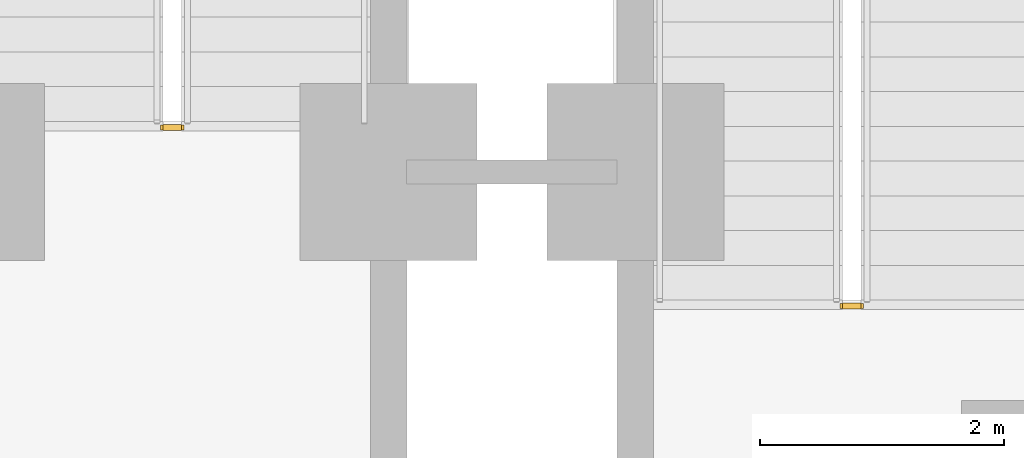
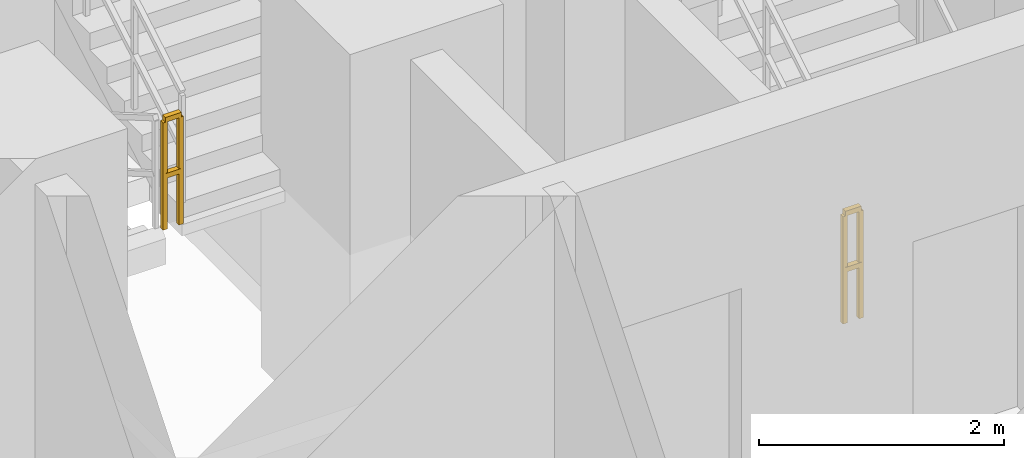
# One storey, part 9 of 12: 2 railings.
"""IFC4 building model written with IfcOpenShell, lengths in metres."""

from ifc_helpers import new_model, si_unit, direction, frame, origin, origin_2d, place, context, subcontext, project, spatial, rectangle, extrude, material, type_object, element, save


model = new_model("IFC4")

# Units and contexts
model_context = context("Model", 3, precision=1e-05, world=origin(), true_north=direction((0.0, 1.0)))
body_context = subcontext(model_context, "Body", "Model", "MODEL_VIEW")
ifc_project = project(units=[si_unit("LENGTHUNIT", "METRE"), si_unit("AREAUNIT", "SQUARE_METRE"), si_unit("VOLUMEUNIT", "CUBIC_METRE"), si_unit("PLANEANGLEUNIT", "RADIAN"), si_unit("MASSUNIT", "GRAM", prefix="KILO")], contexts=[model_context])

# Site, building, storey
site_placement = place(None, origin())
site = spatial("IfcSite", under=ifc_project, at=site_placement, CompositionType="ELEMENT")
building_placement = place(site_placement, origin())
building = spatial("IfcBuilding", under=site, at=building_placement, Name="Apsidion Concourse Tower", CompositionType="ELEMENT")
storey_placement = place(building_placement, frame((0.0, 0.0, 83.0)))
storey = spatial("IfcBuildingStorey", under=building, at=storey_placement, Name="L18", CompositionType="ELEMENT", Elevation=83.0)

# Railings
ifc_material = material(Name="Brushed stainless steel 316", Category="steel")
railing_type = type_object("IfcRailingType", Name="RL-GUARD-1100", PredefinedType="GUARDRAIL", material=ifc_material)
railing_1_placement = place(storey_placement, frame((5.64990234375, 2.949951171875, 0.0)))
element("IfcRailing", 1, at=railing_1_placement, inside=storey, type_object=railing_type, Name="L18 ST2 stair guard 4", PredefinedType="GUARDRAIL", context=body_context, shape_type="SweptSolid", body=[
    extrude(rectangle(XDim=0.048095703125, YDim=0.048095703125, at=origin_2d()), frame((0.0, 0.0, 1.09619140625), z_axis=(-1.0, 0.0, 0.0), x_axis=(0.0, -1.0, 0.0)), (0.0, 0.0, 1.0), 0.14990234375),
    extrude(rectangle(XDim=0.048095703125, YDim=0.048095703125, at=origin_2d()), frame((0.0, 0.0, 0.5361328125), z_axis=(-1.0, 0.0, 0.0), x_axis=(0.0, -1.0, 0.0)), (0.0, 0.0, 1.0), 0.14990234375),
    extrude(rectangle(XDim=0.0419921875, YDim=0.0419921875, at=origin_2d()), origin(), (0.0, 0.0, 1.0), 1.072021484375),
    extrude(rectangle(XDim=0.0419921875, YDim=0.0419921875, at=origin_2d()), frame((-0.14990234375, 0.0, 0.0)), (0.0, 0.0, 1.0), 1.072021484375),
])
railing_2_placement = place(storey_placement, frame((-0.074951171875, 4.4150390625, 2.0)))
element("IfcRailing", 2, at=railing_2_placement, inside=storey, type_object=railing_type, Name="L18 ST3 stair guard 2", PredefinedType="GUARDRAIL", context=body_context, shape_type="SweptSolid", body=[
    extrude(rectangle(XDim=0.048095703125, YDim=0.048095703125, at=origin_2d()), frame((0.0, 0.0, 1.09619140625), z_axis=(1.0, 0.0, 0.0), x_axis=(0.0, 1.0, 0.0)), (0.0, 0.0, 1.0), 0.14990234375),
    extrude(rectangle(XDim=0.048095703125, YDim=0.048095703125, at=origin_2d()), frame((0.0, 0.0, 0.5361328125), z_axis=(1.0, 0.0, 0.0), x_axis=(0.0, 1.0, 0.0)), (0.0, 0.0, 1.0), 0.14990234375),
    extrude(rectangle(XDim=0.0419921875, YDim=0.0419921875, at=origin_2d()), origin(), (0.0, 0.0, 1.0), 1.072021484375),
    extrude(rectangle(XDim=0.0419921875, YDim=0.0419921875, at=origin_2d()), frame((0.14990234375, 0.0, 0.0)), (0.0, 0.0, 1.0), 1.072021484375),
])

save(model, "model.ifc")
